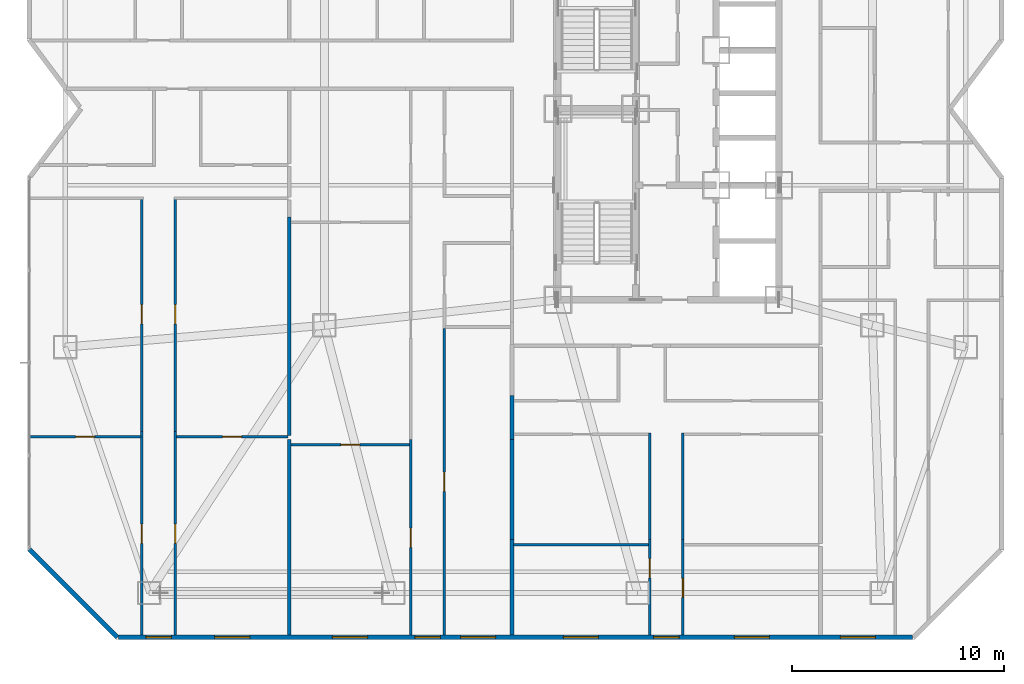
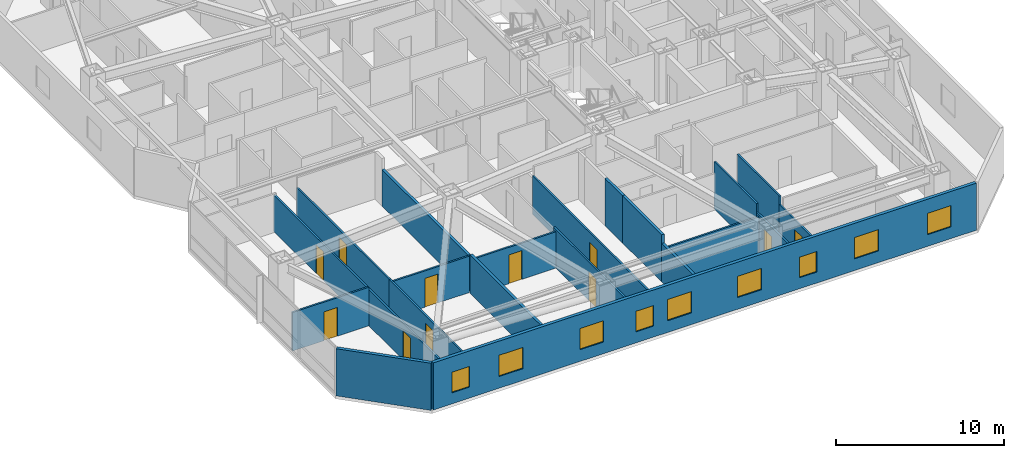
# One storey, part 11 of 18: 21 walls, 11 doors, 9 windows, 20 openings.
"""IFC4 building model written with IfcOpenShell, lengths in metres."""

from ifc_helpers import new_model, si_unit, direction, frame, frame_2d, origin, place, context, subcontext, project, spatial, rectangle, extrude, material, layer, layer_set, type_object, element, fill, save


model = new_model("IFC4")

# Units and contexts
model_context = context("Model", 3, precision=1e-05, world=origin(), true_north=direction((0.0, 1.0)))
body_context = subcontext(model_context, "Body", "Model", "MODEL_VIEW")
ifc_project = project(units=[si_unit("LENGTHUNIT", "METRE"), si_unit("AREAUNIT", "SQUARE_METRE"), si_unit("VOLUMEUNIT", "CUBIC_METRE"), si_unit("PLANEANGLEUNIT", "RADIAN"), si_unit("MASSUNIT", "GRAM", prefix="KILO")], contexts=[model_context])

# Site, building, storey
site_placement = place(None, origin())
site = spatial("IfcSite", under=ifc_project, at=site_placement, CompositionType="ELEMENT")
building_placement = place(site_placement, origin())
building = spatial("IfcBuilding", under=site, at=building_placement, Name="Khamvora Tower", CompositionType="ELEMENT")
storey_placement = place(building_placement, frame((0.0, 0.0, 69.800048828125)))
storey = spatial("IfcBuildingStorey", under=building, at=storey_placement, Name="L17", CompositionType="ELEMENT", Elevation=69.800048828125)

# Walls
ifc_material_1 = material(Name="Acoustic Double-Stud Fire Wall", Category="gypsum")
ifc_layer_1 = layer(ifc_material_1, 0.179931640625)
ifc_layer_set_1 = layer_set([ifc_layer_1], Name="Acoustic Double-Stud Fire Wall")
wall_type_1 = type_object("IfcWallType", Name="WAL-CORR-180", PredefinedType="STANDARD", material=ifc_layer_set_1)
wall_1_placement = place(storey_placement, frame((16.345947265625, 12.422119140625, 0.0), z_axis=(0.0, 0.0, 1.0), x_axis=(0.0, -1.0, 0.0)))
element("IfcWall", 1, at=wall_1_placement, inside=storey, type_object=wall_type_1, Name="L17 interior partition wall 063", PredefinedType="STANDARD", context=body_context, shape_type="SweptSolid", body=[
    extrude(rectangle(XDim=9.210205078125, YDim=0.179931640625, at=frame_2d((4.60498046875, 0.0))), origin(), (0.0, 0.0, 1.0), 2.802978515625),
])
wall_2_placement = place(storey_placement, frame((16.345947265625, 22.912109375, 0.0), z_axis=(0.0, 0.0, 1.0), x_axis=(0.0, -1.0, 0.0)))
element("IfcWall", 2, at=wall_2_placement, inside=storey, type_object=wall_type_1, Name="L17 interior partition wall 064", PredefinedType="STANDARD", context=body_context, shape_type="SweptSolid", body=[
    extrude(rectangle(XDim=10.2890625, YDim=0.179931640625, at=frame_2d((5.14453125, 0.0))), origin(), (0.0, 0.0, 1.0), 2.64697265625),
])
wall_3_placement = place(storey_placement, frame((26.8349609375, 14.4951171875, 0.0), z_axis=(0.0, 0.0, 1.0), x_axis=(0.0, -1.0, 0.0)))
element("IfcWall", 3, at=wall_3_placement, inside=storey, type_object=wall_type_1, Name="L17 interior partition wall 068", PredefinedType="STANDARD", context=body_context, shape_type="SweptSolid", body=[
    extrude(rectangle(XDim=2.078125, YDim=0.179931640625, at=frame_2d((1.0390625, 0.0))), origin(), (0.0, 0.0, 1.0), 3.429931640625),
])
wall_4_placement = place(storey_placement, frame((26.8349609375, 7.7119140625, 0.0), z_axis=(0.0, 0.0, 1.0), x_axis=(0.0, -1.0, 0.0)))
element("IfcWall", 4, at=wall_4_placement, inside=storey, type_object=wall_type_1, Name="L17 interior partition wall 070", PredefinedType="STANDARD", context=body_context, shape_type="SweptSolid", body=[
    extrude(rectangle(XDim=4.5, YDim=0.179931640625, at=frame_2d((2.25, 0.0))), origin(), (0.0, 0.0, 1.0), 2.802978515625),
])
wall_5_placement = place(storey_placement, frame((26.8349609375, 12.4169921875, 0.0), z_axis=(0.0, 0.0, 1.0), x_axis=(0.0, -1.0, 0.0)))
element("IfcWall", 5, at=wall_5_placement, inside=storey, type_object=wall_type_1, Name="L17 interior partition wall 071", PredefinedType="STANDARD", context=body_context, shape_type="SweptSolid", body=[
    extrude(rectangle(XDim=4.705078125, YDim=0.179931640625, at=frame_2d((2.3525390625, 0.0))), origin(), (0.0, 0.0, 1.0), 3.429931640625),
])
ifc_material_2 = material(Name="Precast concrete C40/50", Category="concrete")
ifc_layer_2 = layer(ifc_material_2, 0.219970703125)
ifc_layer_set_2 = layer_set([ifc_layer_2], Name="Precast concrete C40/50")
wall_type_2 = type_object("IfcWallType", Name="WAL-EXT-220", PredefinedType="STANDARD", material=ifc_layer_set_2)
wall_6_placement = place(storey_placement, frame((8.24609375, 3.110107421875, 0.0), z_axis=(0.0, 0.0, 1.0), x_axis=(-0.707106781187, 0.707106781187, 0.0)))
element("IfcWall", 6, at=wall_6_placement, inside=storey, type_object=wall_type_2, Name="L17 exterior facade wall 01.1", PredefinedType="STANDARD", context=body_context, shape_type="SweptSolid", body=[
    extrude(rectangle(XDim=5.84912109375, YDim=0.219970703125, at=frame_2d((2.924560546875, 0.0))), origin(), (0.0, 0.0, 1.0), 3.429931640625),
])

# Wall, openings, windows
wall_7_placement = place(storey_placement, frame((45.68310546875, 3.110107421875, 0.0), z_axis=(0.0, 0.0, 1.0), x_axis=(-1.0, 0.0, 0.0)))
wall_7 = element("IfcWall", 7, at=wall_7_placement, inside=storey, type_object=wall_type_2, Name="L17 exterior facade wall 14.1", PredefinedType="STANDARD", context=body_context, shape_type="SweptSolid", body=[
    extrude(rectangle(XDim=37.3681640625, YDim=0.219970703125, at=frame_2d((18.68408203125, 0.0))), origin(), (0.0, 0.0, 1.0), 3.429931640625),
])
opening_1_placement = place(wall_7_placement, frame((34.886962890625, 0.0, 0.800048828125)))
opening_1 = element("IfcOpeningElement", 8, at=opening_1_placement, cuts=wall_7, Name="Opening WN-03", PredefinedType="OPENING", context=body_context, shape_type="SweptSolid", body=[
    extrude(rectangle(XDim=1.199951171875, YDim=1.5, at=frame_2d((0.60009765625, 0.75))), frame((0.0, 0.119873046875, 0.0), z_axis=(0.0, -1.0, 0.0), x_axis=(1.0, 0.0, 0.0)), (0.0, 0.0, 1.0), 0.239990234375),
])
opening_2_placement = place(wall_7_placement, frame((31.194091796875, 0.0, 0.85009765625)))
opening_2 = element("IfcOpeningElement", 9, at=opening_2_placement, cuts=wall_7, Name="Opening WN-06", PredefinedType="OPENING", context=body_context, shape_type="SweptSolid", body=[
    extrude(rectangle(XDim=1.64990234375, YDim=1.550048828125, at=frame_2d((0.824951171875, 0.77490234375))), frame((0.0, 0.119873046875, 0.0), z_axis=(0.0, -1.0, 0.0), x_axis=(1.0, 0.0, 0.0)), (0.0, 0.0, 1.0), 0.239990234375),
])
opening_3_placement = place(wall_7_placement, frame((19.614990234375, 0.0, 0.85009765625)))
opening_3 = element("IfcOpeningElement", 10, at=opening_3_placement, cuts=wall_7, Name="Opening WN-06", PredefinedType="OPENING", context=body_context, shape_type="SweptSolid", body=[
    extrude(rectangle(XDim=1.64990234375, YDim=1.550048828125, at=frame_2d((0.824951171875, 0.77490234375))), frame((0.0, 0.119873046875, 0.0), z_axis=(0.0, -1.0, 0.0), x_axis=(1.0, 0.0, 0.0)), (0.0, 0.0, 1.0), 0.239990234375),
])
opening_4_placement = place(wall_7_placement, frame((22.222900390625, 0.0, 0.800048828125)))
opening_4 = element("IfcOpeningElement", 11, at=opening_4_placement, cuts=wall_7, Name="Opening WN-03", PredefinedType="OPENING", context=body_context, shape_type="SweptSolid", body=[
    extrude(rectangle(XDim=1.199951171875, YDim=1.5, at=frame_2d((0.60009765625, 0.75))), frame((0.0, 0.119873046875, 0.0), z_axis=(0.0, -1.0, 0.0), x_axis=(1.0, 0.0, 0.0)), (0.0, 0.0, 1.0), 0.239990234375),
])
opening_5_placement = place(wall_7_placement, frame((25.64990234375, 0.0, 0.85009765625)))
opening_5 = element("IfcOpeningElement", 12, at=opening_5_placement, cuts=wall_7, Name="Opening WN-06", PredefinedType="OPENING", context=body_context, shape_type="SweptSolid", body=[
    extrude(rectangle(XDim=1.64990234375, YDim=1.550048828125, at=frame_2d((0.824951171875, 0.77490234375))), frame((0.0, 0.119873046875, 0.0), z_axis=(0.0, -1.0, 0.0), x_axis=(1.0, 0.0, 0.0)), (0.0, 0.0, 1.0), 0.239990234375),
])
opening_6_placement = place(wall_7_placement, frame((10.98291015625, 0.0, 0.800048828125)))
opening_6 = element("IfcOpeningElement", 13, at=opening_6_placement, cuts=wall_7, Name="Opening WN-03", PredefinedType="OPENING", context=body_context, shape_type="SweptSolid", body=[
    extrude(rectangle(XDim=1.199951171875, YDim=1.5, at=frame_2d((0.60009765625, 0.75))), frame((0.0, 0.119873046875, 0.0), z_axis=(0.0, -1.0, 0.0), x_axis=(1.0, 0.0, 0.0)), (0.0, 0.0, 1.0), 0.239990234375),
])
opening_7_placement = place(wall_7_placement, frame((14.782958984375, 0.0, 0.85009765625)))
opening_7 = element("IfcOpeningElement", 14, at=opening_7_placement, cuts=wall_7, Name="Opening WN-06", PredefinedType="OPENING", context=body_context, shape_type="SweptSolid", body=[
    extrude(rectangle(XDim=1.64990234375, YDim=1.550048828125, at=frame_2d((0.824951171875, 0.77490234375))), frame((0.0, 0.119873046875, 0.0), z_axis=(0.0, -1.0, 0.0), x_axis=(1.0, 0.0, 0.0)), (0.0, 0.0, 1.0), 0.239990234375),
])
opening_8_placement = place(wall_7_placement, frame((6.73291015625, 0.0, 0.85009765625)))
opening_8 = element("IfcOpeningElement", 15, at=opening_8_placement, cuts=wall_7, Name="Opening WN-06", PredefinedType="OPENING", context=body_context, shape_type="SweptSolid", body=[
    extrude(rectangle(XDim=1.64990234375, YDim=1.550048828125, at=frame_2d((0.824951171875, 0.77490234375))), frame((0.0, 0.119873046875, 0.0), z_axis=(0.0, -1.0, 0.0), x_axis=(1.0, 0.0, 0.0)), (0.0, 0.0, 1.0), 0.239990234375),
])
opening_9_placement = place(wall_7_placement, frame((1.738037109375, 0.0, 0.85009765625)))
opening_9 = element("IfcOpeningElement", 16, at=opening_9_placement, cuts=wall_7, Name="Opening WN-06", PredefinedType="OPENING", context=body_context, shape_type="SweptSolid", body=[
    extrude(rectangle(XDim=1.64990234375, YDim=1.550048828125, at=frame_2d((0.824951171875, 0.77490234375))), frame((0.0, 0.119873046875, 0.0), z_axis=(0.0, -1.0, 0.0), x_axis=(1.0, 0.0, 0.0)), (0.0, 0.0, 1.0), 0.239990234375),
])
ifc_material_3 = material(Name="Low-E Laminated Double Glazing", Category="glass")
window_type_1 = type_object("IfcWindowType", Name="WIN-VIS-1200x1500", PartitioningType="SINGLE_PANEL", PredefinedType="WINDOW", material=ifc_material_3)
window_1_placement = place(opening_1_placement, origin())
window_1 = element("IfcWindow", 17, at=window_1_placement, inside=storey, type_object=window_type_1, Name="L17 vision window 14.1.01", OverallHeight=1.5, OverallWidth=1.199951171875, PartitioningType="SINGLE_PANEL", PredefinedType="WINDOW", context=body_context, shape_type="SweptSolid", body=[
    extrude(rectangle(XDim=1.199951171875, YDim=1.5, at=frame_2d((0.60009765625, 0.75))), frame((0.0, 0.030029296875, 0.0), z_axis=(0.0, -1.0, 0.0), x_axis=(1.0, 0.0, 0.0)), (0.0, 0.0, 1.0), 0.06005859375),
])
fill(opening_1, window_1)
window_2_placement = place(opening_4_placement, origin())
window_2 = element("IfcWindow", 18, at=window_2_placement, inside=storey, type_object=window_type_1, Name="L17 vision window 14.1.04", OverallHeight=1.5, OverallWidth=1.199951171875, PartitioningType="SINGLE_PANEL", PredefinedType="WINDOW", context=body_context, shape_type="SweptSolid", body=[
    extrude(rectangle(XDim=1.199951171875, YDim=1.5, at=frame_2d((0.60009765625, 0.75))), frame((0.0, 0.030029296875, 0.0), z_axis=(0.0, -1.0, 0.0), x_axis=(1.0, 0.0, 0.0)), (0.0, 0.0, 1.0), 0.06005859375),
])
fill(opening_4, window_2)
window_3_placement = place(opening_6_placement, origin())
window_3 = element("IfcWindow", 19, at=window_3_placement, inside=storey, type_object=window_type_1, Name="L17 vision window 14.1.06", OverallHeight=1.5, OverallWidth=1.199951171875, PartitioningType="SINGLE_PANEL", PredefinedType="WINDOW", context=body_context, shape_type="SweptSolid", body=[
    extrude(rectangle(XDim=1.199951171875, YDim=1.5, at=frame_2d((0.60009765625, 0.75))), frame((0.0, 0.030029296875, 0.0), z_axis=(0.0, -1.0, 0.0), x_axis=(1.0, 0.0, 0.0)), (0.0, 0.0, 1.0), 0.06005859375),
])
fill(opening_6, window_3)
window_type_2 = type_object("IfcWindowType", Name="WIN-VIS-1650x1550", PartitioningType="SINGLE_PANEL", PredefinedType="WINDOW", material=ifc_material_3)
window_4_placement = place(opening_2_placement, origin())
window_4 = element("IfcWindow", 20, at=window_4_placement, inside=storey, type_object=window_type_2, Name="L17 vision window 14.1.02", OverallHeight=1.550048828125, OverallWidth=1.64990234375, PartitioningType="SINGLE_PANEL", PredefinedType="WINDOW", context=body_context, shape_type="SweptSolid", body=[
    extrude(rectangle(XDim=1.64990234375, YDim=1.550048828125, at=frame_2d((0.824951171875, 0.77490234375))), frame((0.0, 0.030029296875, 0.0), z_axis=(0.0, -1.0, 0.0), x_axis=(1.0, 0.0, 0.0)), (0.0, 0.0, 1.0), 0.06005859375),
])
fill(opening_2, window_4)
window_5_placement = place(opening_3_placement, origin())
window_5 = element("IfcWindow", 21, at=window_5_placement, inside=storey, type_object=window_type_2, Name="L17 vision window 14.1.03", OverallHeight=1.550048828125, OverallWidth=1.64990234375, PartitioningType="SINGLE_PANEL", PredefinedType="WINDOW", context=body_context, shape_type="SweptSolid", body=[
    extrude(rectangle(XDim=1.64990234375, YDim=1.550048828125, at=frame_2d((0.824951171875, 0.77490234375))), frame((0.0, 0.030029296875, 0.0), z_axis=(0.0, -1.0, 0.0), x_axis=(1.0, 0.0, 0.0)), (0.0, 0.0, 1.0), 0.06005859375),
])
fill(opening_3, window_5)
window_6_placement = place(opening_5_placement, origin())
window_6 = element("IfcWindow", 22, at=window_6_placement, inside=storey, type_object=window_type_2, Name="L17 vision window 14.1.05", OverallHeight=1.550048828125, OverallWidth=1.64990234375, PartitioningType="SINGLE_PANEL", PredefinedType="WINDOW", context=body_context, shape_type="SweptSolid", body=[
    extrude(rectangle(XDim=1.64990234375, YDim=1.550048828125, at=frame_2d((0.824951171875, 0.77490234375))), frame((0.0, 0.030029296875, 0.0), z_axis=(0.0, -1.0, 0.0), x_axis=(1.0, 0.0, 0.0)), (0.0, 0.0, 1.0), 0.06005859375),
])
fill(opening_5, window_6)
window_7_placement = place(opening_7_placement, origin())
window_7 = element("IfcWindow", 23, at=window_7_placement, inside=storey, type_object=window_type_2, Name="L17 vision window 14.1.07", OverallHeight=1.550048828125, OverallWidth=1.64990234375, PartitioningType="SINGLE_PANEL", PredefinedType="WINDOW", context=body_context, shape_type="SweptSolid", body=[
    extrude(rectangle(XDim=1.64990234375, YDim=1.550048828125, at=frame_2d((0.824951171875, 0.77490234375))), frame((0.0, 0.030029296875, 0.0), z_axis=(0.0, -1.0, 0.0), x_axis=(1.0, 0.0, 0.0)), (0.0, 0.0, 1.0), 0.06005859375),
])
fill(opening_7, window_7)
window_8_placement = place(opening_8_placement, origin())
window_8 = element("IfcWindow", 24, at=window_8_placement, inside=storey, type_object=window_type_2, Name="L17 vision window 14.1.08", OverallHeight=1.550048828125, OverallWidth=1.64990234375, PartitioningType="SINGLE_PANEL", PredefinedType="WINDOW", context=body_context, shape_type="SweptSolid", body=[
    extrude(rectangle(XDim=1.64990234375, YDim=1.550048828125, at=frame_2d((0.824951171875, 0.77490234375))), frame((0.0, 0.030029296875, 0.0), z_axis=(0.0, -1.0, 0.0), x_axis=(1.0, 0.0, 0.0)), (0.0, 0.0, 1.0), 0.06005859375),
])
fill(opening_8, window_8)
window_9_placement = place(opening_9_placement, origin())
window_9 = element("IfcWindow", 25, at=window_9_placement, inside=storey, type_object=window_type_2, Name="L17 vision window 14.1.09", OverallHeight=1.550048828125, OverallWidth=1.64990234375, PartitioningType="SINGLE_PANEL", PredefinedType="WINDOW", context=body_context, shape_type="SweptSolid", body=[
    extrude(rectangle(XDim=1.64990234375, YDim=1.550048828125, at=frame_2d((0.824951171875, 0.77490234375))), frame((0.0, 0.030029296875, 0.0), z_axis=(0.0, -1.0, 0.0), x_axis=(1.0, 0.0, 0.0)), (0.0, 0.0, 1.0), 0.06005859375),
])
fill(opening_9, window_9)

# Wall, opening, door
ifc_material_4 = material(Name="Gypsum Plasterboard Partition", Category="gypsum")
ifc_layer_3 = layer(ifc_material_4, 0.1201171875)
ifc_layer_set_3 = layer_set([ifc_layer_3], Name="Gypsum Plasterboard Partition")
wall_type_3 = type_object("IfcWallType", Name="WAL-PART-120", PredefinedType="PARTITIONING", material=ifc_layer_set_3)
wall_8_placement = place(storey_placement, frame((9.410888671875, 3.2119140625, 0.0), z_axis=(0.0, 0.0, 1.0), x_axis=(0.0, 1.0, 0.0)))
wall_8 = element("IfcWall", 26, at=wall_8_placement, inside=storey, type_object=wall_type_3, Name="L17 interior partition wall 053", PredefinedType="PARTITIONING", context=body_context, shape_type="SweptSolid", body=[
    extrude(rectangle(XDim=9.594970703125, YDim=0.1201171875, at=frame_2d((4.79736328125, 0.0))), origin(), (0.0, 0.0, 1.0), 2.64697265625),
])
opening_10_placement = place(wall_8_placement, frame((4.326904296875, 0.0, 0.0)))
opening_10 = element("IfcOpeningElement", 27, at=opening_10_placement, cuts=wall_8, Name="Opening D-RM1", PredefinedType="OPENING", context=body_context, shape_type="SweptSolid", body=[
    extrude(rectangle(XDim=0.89990234375, YDim=2.10009765625, at=frame_2d((0.449951171875, 1.050048828125))), frame((0.0, 0.070068359375, 0.0), z_axis=(0.0, -1.0, 0.0), x_axis=(1.0, 0.0, 0.0)), (0.0, 0.0, 1.0), 0.14013671875),
])
ifc_material_5 = material(Name="Powder-Coated Steel and Hardwood Leaf", Category="steel")
door_type = type_object("IfcDoorType", Name="DOR-ROOM-900", OperationType="NOTDEFINED", PredefinedType="DOOR", material=ifc_material_5)
door_1_placement = place(opening_10_placement, origin())
door_1 = element("IfcDoor", 28, at=door_1_placement, inside=storey, type_object=door_type, Name="L17 interior door 17WA1H-17WA1R1", OperationType="SINGLE_SWING_LEFT", OverallHeight=2.10009765625, OverallWidth=0.89990234375, PredefinedType="DOOR", context=body_context, shape_type="SweptSolid", body=[
    extrude(rectangle(XDim=0.89990234375, YDim=2.10009765625, at=frame_2d((0.449951171875, 1.050048828125))), frame((0.0, 0.02490234375, 0.0), z_axis=(0.0, -1.0, 0.0), x_axis=(1.0, 0.0, 0.0)), (0.0, 0.0, 1.0), 0.050048828125),
])
fill(opening_10, door_1)

wall_9_placement = place(storey_placement, frame((9.410888671875, 12.806884765625, 0.0), z_axis=(0.0, 0.0, 1.0), x_axis=(0.0, 1.0, 0.0)))
wall_9 = element("IfcWall", 29, at=wall_9_placement, inside=storey, type_object=wall_type_3, Name="L17 interior partition wall 054", PredefinedType="PARTITIONING", context=body_context, shape_type="SweptSolid", body=[
    extrude(rectangle(XDim=11.033203125, YDim=0.1201171875, at=frame_2d((5.5166015625, 0.0))), origin(), (0.0, 0.0, 1.0), 2.64697265625),
])
opening_11_placement = place(wall_9_placement, frame((5.06591796875, 0.0, 0.0)))
opening_11 = element("IfcOpeningElement", 30, at=opening_11_placement, cuts=wall_9, Name="Opening D-RM1", PredefinedType="OPENING", context=body_context, shape_type="SweptSolid", body=[
    extrude(rectangle(XDim=0.89990234375, YDim=2.10009765625, at=frame_2d((0.449951171875, 1.050048828125))), frame((0.0, 0.070068359375, 0.0), z_axis=(0.0, -1.0, 0.0), x_axis=(1.0, 0.0, 0.0)), (0.0, 0.0, 1.0), 0.14013671875),
])
door_2_placement = place(opening_11_placement, origin())
door_2 = element("IfcDoor", 31, at=door_2_placement, inside=storey, type_object=door_type, Name="L17 interior door 17WA1H-17WA1R2", OperationType="SINGLE_SWING_RIGHT", OverallHeight=2.10009765625, OverallWidth=0.89990234375, PredefinedType="DOOR", context=body_context, shape_type="SweptSolid", body=[
    extrude(rectangle(XDim=0.89990234375, YDim=2.10009765625, at=frame_2d((0.449951171875, 1.050048828125))), frame((0.0, 0.02490234375, 0.0), z_axis=(0.0, -1.0, 0.0), x_axis=(1.0, 0.0, 0.0)), (0.0, 0.0, 1.0), 0.050048828125),
])
fill(opening_11, door_2)

wall_10_placement = place(storey_placement, frame((10.98095703125, 12.806884765625, 0.0), z_axis=(0.0, 0.0, 1.0), x_axis=(0.0, -1.0, 0.0)))
wall_10 = element("IfcWall", 32, at=wall_10_placement, inside=storey, type_object=wall_type_3, Name="L17 interior partition wall 056", PredefinedType="PARTITIONING", context=body_context, shape_type="SweptSolid", body=[
    extrude(rectangle(XDim=9.594970703125, YDim=0.1201171875, at=frame_2d((4.79736328125, 0.0))), origin(), (0.0, 0.0, 1.0), 2.64697265625),
])
opening_12_placement = place(wall_10_placement, frame((4.368896484375, 0.0, 0.0)))
opening_12 = element("IfcOpeningElement", 33, at=opening_12_placement, cuts=wall_10, Name="Opening D-RM1", PredefinedType="OPENING", context=body_context, shape_type="SweptSolid", body=[
    extrude(rectangle(XDim=0.89990234375, YDim=2.10009765625, at=frame_2d((0.449951171875, 1.050048828125))), frame((0.0, 0.070068359375, 0.0), z_axis=(0.0, -1.0, 0.0), x_axis=(1.0, 0.0, 0.0)), (0.0, 0.0, 1.0), 0.14013671875),
])
door_3_placement = place(opening_12_placement, origin())
door_3 = element("IfcDoor", 34, at=door_3_placement, inside=storey, type_object=door_type, Name="L17 interior door 17WA1H-17WA1R3", OperationType="SINGLE_SWING_LEFT", OverallHeight=2.10009765625, OverallWidth=0.89990234375, PredefinedType="DOOR", context=body_context, shape_type="SweptSolid", body=[
    extrude(rectangle(XDim=0.89990234375, YDim=2.10009765625, at=frame_2d((0.449951171875, 1.050048828125))), frame((0.0, 0.02490234375, 0.0), z_axis=(0.0, -1.0, 0.0), x_axis=(1.0, 0.0, 0.0)), (0.0, 0.0, 1.0), 0.050048828125),
])
fill(opening_12, door_3)

wall_11_placement = place(storey_placement, frame((10.98095703125, 23.840087890625, 0.0), z_axis=(0.0, 0.0, 1.0), x_axis=(0.0, -1.0, 0.0)))
wall_11 = element("IfcWall", 35, at=wall_11_placement, inside=storey, type_object=wall_type_3, Name="L17 interior partition wall 058", PredefinedType="PARTITIONING", context=body_context, shape_type="SweptSolid", body=[
    extrude(rectangle(XDim=11.033203125, YDim=0.1201171875, at=frame_2d((5.5166015625, 0.0))), origin(), (0.0, 0.0, 1.0), 2.64697265625),
])
opening_13_placement = place(wall_11_placement, frame((5.06591796875, 0.0, 0.0)))
opening_13 = element("IfcOpeningElement", 36, at=opening_13_placement, cuts=wall_11, Name="Opening D-RM1", PredefinedType="OPENING", context=body_context, shape_type="SweptSolid", body=[
    extrude(rectangle(XDim=0.89990234375, YDim=2.10009765625, at=frame_2d((0.449951171875, 1.050048828125))), frame((0.0, 0.070068359375, 0.0), z_axis=(0.0, -1.0, 0.0), x_axis=(1.0, 0.0, 0.0)), (0.0, 0.0, 1.0), 0.14013671875),
])
door_4_placement = place(opening_13_placement, origin())
door_4 = element("IfcDoor", 37, at=door_4_placement, inside=storey, type_object=door_type, Name="L17 interior door 17WA1H-17WA1R4", OperationType="SINGLE_SWING_RIGHT", OverallHeight=2.10009765625, OverallWidth=0.89990234375, PredefinedType="DOOR", context=body_context, shape_type="SweptSolid", body=[
    extrude(rectangle(XDim=0.89990234375, YDim=2.10009765625, at=frame_2d((0.449951171875, 1.050048828125))), frame((0.0, 0.02490234375, 0.0), z_axis=(0.0, -1.0, 0.0), x_axis=(1.0, 0.0, 0.0)), (0.0, 0.0, 1.0), 0.050048828125),
])
fill(opening_13, door_4)

wall_12_placement = place(storey_placement, frame((4.110107421875, 12.55810546875, 0.0), z_axis=(0.0, 0.0, 1.0), x_axis=(1.0, 0.0, 0.0)))
wall_12 = element("IfcWall", 38, at=wall_12_placement, inside=storey, type_object=wall_type_3, Name="L17 interior partition wall 061", PredefinedType="PARTITIONING", context=body_context, shape_type="SweptSolid", body=[
    extrude(rectangle(XDim=5.246826171875, YDim=0.1201171875, at=frame_2d((2.62353515625, 0.0))), origin(), (0.0, 0.0, 1.0), 2.802978515625),
])
opening_14_placement = place(wall_12_placement, frame((2.173095703125, 0.0, 0.0)))
opening_14 = element("IfcOpeningElement", 39, at=opening_14_placement, cuts=wall_12, Name="Opening D-RM1", PredefinedType="OPENING", context=body_context, shape_type="SweptSolid", body=[
    extrude(rectangle(XDim=0.89990234375, YDim=2.10009765625, at=frame_2d((0.449951171875, 1.050048828125))), frame((0.0, 0.070068359375, 0.0), z_axis=(0.0, -1.0, 0.0), x_axis=(1.0, 0.0, 0.0)), (0.0, 0.0, 1.0), 0.14013671875),
])
door_5_placement = place(opening_14_placement, origin())
door_5 = element("IfcDoor", 40, at=door_5_placement, inside=storey, type_object=door_type, Name="L17 interior door 17WA1R1-17WA1R2", OperationType="SINGLE_SWING_LEFT", OverallHeight=2.10009765625, OverallWidth=0.89990234375, PredefinedType="DOOR", context=body_context, shape_type="SweptSolid", body=[
    extrude(rectangle(XDim=0.89990234375, YDim=2.10009765625, at=frame_2d((0.449951171875, 1.050048828125))), frame((0.0, 0.02490234375, 0.0), z_axis=(0.0, -1.0, 0.0), x_axis=(1.0, 0.0, 0.0)), (0.0, 0.0, 1.0), 0.050048828125),
])
fill(opening_14, door_5)

wall_13_placement = place(storey_placement, frame((11.034912109375, 12.55810546875, 0.0), z_axis=(0.0, 0.0, 1.0), x_axis=(1.0, 0.0, 0.0)))
wall_13 = element("IfcWall", 41, at=wall_13_placement, inside=storey, type_object=wall_type_3, Name="L17 interior partition wall 062", PredefinedType="PARTITIONING", context=body_context, shape_type="SweptSolid", body=[
    extrude(rectangle(XDim=5.24609375, YDim=0.1201171875, at=frame_2d((2.623046875, 0.0))), origin(), (0.0, 0.0, 1.0), 2.64697265625),
])
opening_15_placement = place(wall_13_placement, frame((2.173095703125, 0.0, 0.0)))
opening_15 = element("IfcOpeningElement", 42, at=opening_15_placement, cuts=wall_13, Name="Opening D-RM1", PredefinedType="OPENING", context=body_context, shape_type="SweptSolid", body=[
    extrude(rectangle(XDim=0.89990234375, YDim=2.10009765625, at=frame_2d((0.449951171875, 1.050048828125))), frame((0.0, 0.070068359375, 0.0), z_axis=(0.0, -1.0, 0.0), x_axis=(1.0, 0.0, 0.0)), (0.0, 0.0, 1.0), 0.14013671875),
])
door_6_placement = place(opening_15_placement, origin())
door_6 = element("IfcDoor", 43, at=door_6_placement, inside=storey, type_object=door_type, Name="L17 interior door 17WA1R3-17WA1R4", OperationType="SINGLE_SWING_RIGHT", OverallHeight=2.10009765625, OverallWidth=0.89990234375, PredefinedType="DOOR", context=body_context, shape_type="SweptSolid", body=[
    extrude(rectangle(XDim=0.89990234375, YDim=2.10009765625, at=frame_2d((0.449951171875, 1.050048828125))), frame((0.0, 0.02490234375, 0.0), z_axis=(0.0, -1.0, 0.0), x_axis=(1.0, 0.0, 0.0)), (0.0, 0.0, 1.0), 0.050048828125),
])
fill(opening_15, door_6)

wall_14_placement = place(storey_placement, frame((23.64990234375, 3.2119140625, 0.0), z_axis=(0.0, 0.0, 1.0), x_axis=(0.0, 1.0, 0.0)))
wall_14 = element("IfcWall", 44, at=wall_14_placement, inside=storey, type_object=wall_type_3, Name="L17 interior partition wall 066", PredefinedType="PARTITIONING", context=body_context, shape_type="SweptSolid", body=[
    extrude(rectangle(XDim=14.442138671875, YDim=0.1201171875, at=frame_2d((7.22119140625, 0.0))), origin(), (0.0, 0.0, 1.0), 2.802978515625),
])
opening_16_placement = place(wall_14_placement, frame((6.77099609375, 0.0, 0.0)))
opening_16 = element("IfcOpeningElement", 45, at=opening_16_placement, cuts=wall_14, Name="Opening D-RM1", PredefinedType="OPENING", context=body_context, shape_type="SweptSolid", body=[
    extrude(rectangle(XDim=0.89990234375, YDim=2.10009765625, at=frame_2d((0.449951171875, 1.050048828125))), frame((0.0, 0.070068359375, 0.0), z_axis=(0.0, -1.0, 0.0), x_axis=(1.0, 0.0, 0.0)), (0.0, 0.0, 1.0), 0.14013671875),
])
door_7_placement = place(opening_16_placement, origin())
door_7 = element("IfcDoor", 46, at=door_7_placement, inside=storey, type_object=door_type, Name="L17 interior door 17WA2W1-17WA2H", OperationType="SINGLE_SWING_LEFT", OverallHeight=2.10009765625, OverallWidth=0.89990234375, PredefinedType="DOOR", context=body_context, shape_type="SweptSolid", body=[
    extrude(rectangle(XDim=0.89990234375, YDim=2.10009765625, at=frame_2d((0.449951171875, 1.050048828125))), frame((0.0, 0.02490234375, 0.0), z_axis=(0.0, -1.0, 0.0), x_axis=(1.0, 0.0, 0.0)), (0.0, 0.0, 1.0), 0.050048828125),
])
fill(opening_16, door_7)

wall_15_placement = place(storey_placement, frame((22.070068359375, 3.2119140625, 0.0), z_axis=(0.0, 0.0, 1.0), x_axis=(0.0, 1.0, 0.0)))
wall_15 = element("IfcWall", 47, at=wall_15_placement, inside=storey, type_object=wall_type_3, Name="L17 interior partition wall 076", PredefinedType="PARTITIONING", context=body_context, shape_type="SweptSolid", body=[
    extrude(rectangle(XDim=9.210205078125, YDim=0.1201171875, at=frame_2d((4.60498046875, 0.0))), origin(), (0.0, 0.0, 1.0), 2.802978515625),
])
opening_17_placement = place(wall_15_placement, frame((4.134033203125, 0.0, 0.0)))
opening_17 = element("IfcOpeningElement", 48, at=opening_17_placement, cuts=wall_15, Name="Opening D-RM1", PredefinedType="OPENING", context=body_context, shape_type="SweptSolid", body=[
    extrude(rectangle(XDim=0.89990234375, YDim=2.10009765625, at=frame_2d((0.449951171875, 1.050048828125))), frame((0.0, 0.070068359375, 0.0), z_axis=(0.0, -1.0, 0.0), x_axis=(1.0, 0.0, 0.0)), (0.0, 0.0, 1.0), 0.14013671875),
])
door_8_placement = place(opening_17_placement, origin())
door_8 = element("IfcDoor", 49, at=door_8_placement, inside=storey, type_object=door_type, Name="L17 interior door 17WA2H-17WA2R1", OperationType="SINGLE_SWING_RIGHT", OverallHeight=2.10009765625, OverallWidth=0.89990234375, PredefinedType="DOOR", context=body_context, shape_type="SweptSolid", body=[
    extrude(rectangle(XDim=0.89990234375, YDim=2.10009765625, at=frame_2d((0.449951171875, 1.050048828125))), frame((0.0, 0.02490234375, 0.0), z_axis=(0.0, -1.0, 0.0), x_axis=(1.0, 0.0, 0.0)), (0.0, 0.0, 1.0), 0.050048828125),
])
fill(opening_17, door_8)

wall_16_placement = place(storey_placement, frame((16.427978515625, 12.173095703125, 0.0), z_axis=(0.0, 0.0, 1.0), x_axis=(1.0, 0.0, 0.0)))
wall_16 = element("IfcWall", 50, at=wall_16_placement, inside=storey, type_object=wall_type_3, Name="L17 interior partition wall 079", PredefinedType="PARTITIONING", context=body_context, shape_type="SweptSolid", body=[
    extrude(rectangle(XDim=5.588134765625, YDim=0.1201171875, at=frame_2d((2.7939453125, 0.0))), origin(), (0.0, 0.0, 1.0), 2.64697265625),
])
opening_18_placement = place(wall_16_placement, frame((2.343994140625, 0.0, 0.0)))
opening_18 = element("IfcOpeningElement", 51, at=opening_18_placement, cuts=wall_16, Name="Opening D-RM1", PredefinedType="OPENING", context=body_context, shape_type="SweptSolid", body=[
    extrude(rectangle(XDim=0.89990234375, YDim=2.10009765625, at=frame_2d((0.449951171875, 1.050048828125))), frame((0.0, 0.070068359375, 0.0), z_axis=(0.0, -1.0, 0.0), x_axis=(1.0, 0.0, 0.0)), (0.0, 0.0, 1.0), 0.14013671875),
])
door_9_placement = place(opening_18_placement, origin())
door_9 = element("IfcDoor", 52, at=door_9_placement, inside=storey, type_object=door_type, Name="L17 interior door 17WA2R1-17WA2R2", OperationType="SINGLE_SWING_LEFT", OverallHeight=2.10009765625, OverallWidth=0.89990234375, PredefinedType="DOOR", context=body_context, shape_type="SweptSolid", body=[
    extrude(rectangle(XDim=0.89990234375, YDim=2.10009765625, at=frame_2d((0.449951171875, 1.050048828125))), frame((0.0, 0.02490234375, 0.0), z_axis=(0.0, -1.0, 0.0), x_axis=(1.0, 0.0, 0.0)), (0.0, 0.0, 1.0), 0.050048828125),
])
fill(opening_18, door_9)

wall_17_placement = place(storey_placement, frame((33.31494140625, 3.2119140625, 0.0), z_axis=(0.0, 0.0, 1.0), x_axis=(0.0, 1.0, 0.0)))
wall_17 = element("IfcWall", 53, at=wall_17_placement, inside=storey, type_object=wall_type_3, Name="L17 interior partition wall 114", PredefinedType="PARTITIONING", context=body_context, shape_type="SweptSolid", body=[
    extrude(rectangle(XDim=4.5, YDim=0.1201171875, at=frame_2d((2.25, 0.0))), origin(), (0.0, 0.0, 1.0), 2.802978515625),
])
opening_19_placement = place(wall_17_placement, frame((2.701904296875, 0.0, 0.0)))
opening_19 = element("IfcOpeningElement", 54, at=opening_19_placement, cuts=wall_17, Name="Opening D-RM1", PredefinedType="OPENING", context=body_context, shape_type="SweptSolid", body=[
    extrude(rectangle(XDim=0.89990234375, YDim=2.10009765625, at=frame_2d((0.449951171875, 1.050048828125))), frame((0.0, 0.070068359375, 0.0), z_axis=(0.0, -1.0, 0.0), x_axis=(1.0, 0.0, 0.0)), (0.0, 0.0, 1.0), 0.14013671875),
])
door_10_placement = place(opening_19_placement, origin())
door_10 = element("IfcDoor", 55, at=door_10_placement, inside=storey, type_object=door_type, Name="L17 interior door 17SAH-17SAL", OperationType="SINGLE_SWING_RIGHT", OverallHeight=2.10009765625, OverallWidth=0.89990234375, PredefinedType="DOOR", context=body_context, shape_type="SweptSolid", body=[
    extrude(rectangle(XDim=0.89990234375, YDim=2.10009765625, at=frame_2d((0.449951171875, 1.050048828125))), frame((0.0, 0.02490234375, 0.0), z_axis=(0.0, -1.0, 0.0), x_axis=(1.0, 0.0, 0.0)), (0.0, 0.0, 1.0), 0.050048828125),
])
fill(opening_19, door_10)

# Wall
wall_18_placement = place(storey_placement, frame((33.31494140625, 7.7119140625, 0.0), z_axis=(0.0, 0.0, 1.0), x_axis=(0.0, 1.0, 0.0)))
element("IfcWall", 56, at=wall_18_placement, inside=storey, type_object=wall_type_3, Name="L17 interior partition wall 115", PredefinedType="PARTITIONING", context=body_context, shape_type="SweptSolid", body=[
    extrude(rectangle(XDim=5.01904296875, YDim=0.1201171875, at=frame_2d((2.509521484375, 0.0))), origin(), (0.0, 0.0, 1.0), 3.429931640625),
])

# Wall, opening, door
wall_19_placement = place(storey_placement, frame((34.885009765625, 7.7119140625, 0.0), z_axis=(0.0, 0.0, 1.0), x_axis=(0.0, -1.0, 0.0)))
wall_19 = element("IfcWall", 57, at=wall_19_placement, inside=storey, type_object=wall_type_3, Name="L17 interior partition wall 117", PredefinedType="PARTITIONING", context=body_context, shape_type="SweptSolid", body=[
    extrude(rectangle(XDim=4.5, YDim=0.1201171875, at=frame_2d((2.25, 0.0))), origin(), (0.0, 0.0, 1.0), 2.802978515625),
])
opening_20_placement = place(wall_19_placement, frame((1.821044921875, 0.0, 0.0)))
opening_20 = element("IfcOpeningElement", 58, at=opening_20_placement, cuts=wall_19, Name="Opening D-RM1", PredefinedType="OPENING", context=body_context, shape_type="SweptSolid", body=[
    extrude(rectangle(XDim=0.89990234375, YDim=2.10009765625, at=frame_2d((0.449951171875, 1.050048828125))), frame((0.0, 0.070068359375, 0.0), z_axis=(0.0, -1.0, 0.0), x_axis=(1.0, 0.0, 0.0)), (0.0, 0.0, 1.0), 0.14013671875),
])
door_11_placement = place(opening_20_placement, origin())
door_11 = element("IfcDoor", 59, at=door_11_placement, inside=storey, type_object=door_type, Name="L17 interior door 17SAH-17SAR3", OperationType="SINGLE_SWING_RIGHT", OverallHeight=2.10009765625, OverallWidth=0.89990234375, PredefinedType="DOOR", context=body_context, shape_type="SweptSolid", body=[
    extrude(rectangle(XDim=0.89990234375, YDim=2.10009765625, at=frame_2d((0.449951171875, 1.050048828125))), frame((0.0, 0.02490234375, 0.0), z_axis=(0.0, -1.0, 0.0), x_axis=(1.0, 0.0, 0.0)), (0.0, 0.0, 1.0), 0.050048828125),
])
fill(opening_20, door_11)

# Walls
wall_20_placement = place(storey_placement, frame((34.885009765625, 12.73095703125, 0.0), z_axis=(0.0, 0.0, 1.0), x_axis=(0.0, -1.0, 0.0)))
element("IfcWall", 60, at=wall_20_placement, inside=storey, type_object=wall_type_3, Name="L17 interior partition wall 119", PredefinedType="PARTITIONING", context=body_context, shape_type="SweptSolid", body=[
    extrude(rectangle(XDim=5.01904296875, YDim=0.1201171875, at=frame_2d((2.509521484375, 0.0))), origin(), (0.0, 0.0, 1.0), 3.429931640625),
])
wall_21_placement = place(storey_placement, frame((26.9169921875, 7.462890625, 0.0), z_axis=(0.0, 0.0, 1.0), x_axis=(1.0, 0.0, 0.0)))
element("IfcWall", 61, at=wall_21_placement, inside=storey, type_object=wall_type_3, Name="L17 interior partition wall 122", PredefinedType="PARTITIONING", context=body_context, shape_type="SweptSolid", body=[
    extrude(rectangle(XDim=6.343994140625, YDim=0.1201171875, at=frame_2d((3.171875, 0.0))), origin(), (0.0, 0.0, 1.0), 2.64697265625),
])

save(model, "model.ifc")
